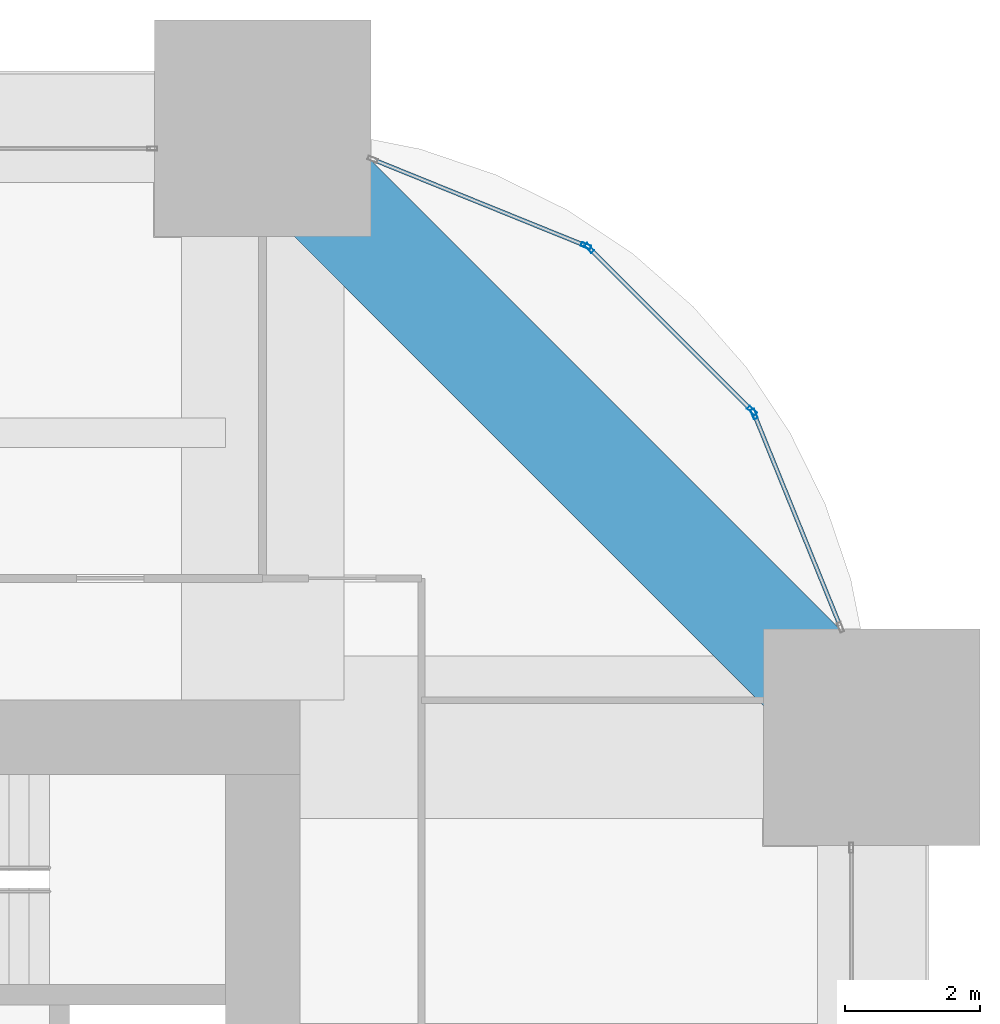
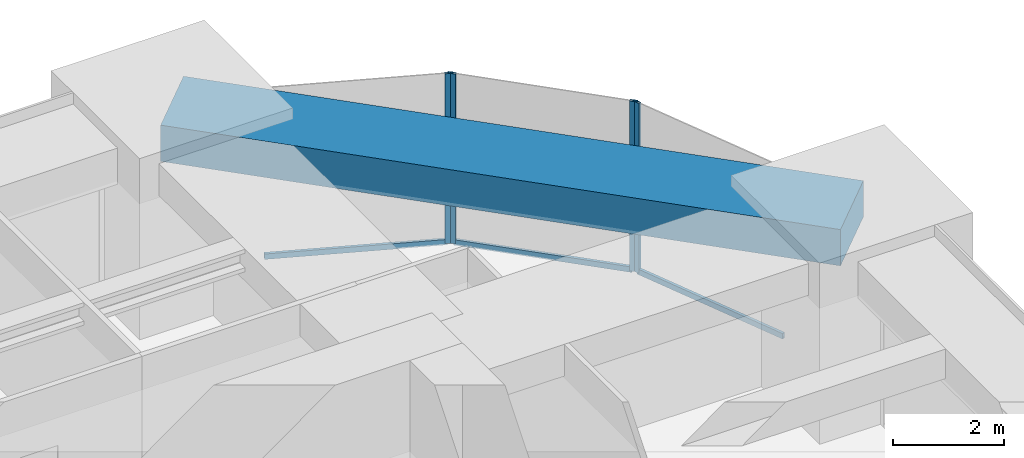
# One storey, part 29 of 36: 7 members, 1 beam, 3 elements without a shape of their own.
"""IFC4 building model written with IfcOpenShell, lengths in metres."""

from ifc_helpers import new_model, si_unit, direction, frame, origin, origin_2d, place, context, subcontext, project, spatial, rectangle, hollow_rectangle, extrude, material, material_profile, profile_set, type_object, element, aggregate, save


model = new_model("IFC4")

# Units and contexts
model_context = context("Model", 3, precision=1e-05, world=origin(), true_north=direction((0.0, 1.0)))
body_context = subcontext(model_context, "Body", "Model", "MODEL_VIEW")
ifc_project = project(units=[si_unit("LENGTHUNIT", "METRE"), si_unit("AREAUNIT", "SQUARE_METRE"), si_unit("VOLUMEUNIT", "CUBIC_METRE"), si_unit("PLANEANGLEUNIT", "RADIAN"), si_unit("MASSUNIT", "GRAM", prefix="KILO")], contexts=[model_context])

# Site, building, storey
site_placement = place(None, origin())
site = spatial("IfcSite", under=ifc_project, at=site_placement, CompositionType="ELEMENT")
building_placement = place(site_placement, origin())
building = spatial("IfcBuilding", under=site, at=building_placement, Name="Zorevar Civic Tower", CompositionType="ELEMENT")
storey_placement = place(building_placement, frame((0.0, 0.0, 166.199951171875)))
storey = spatial("IfcBuildingStorey", under=building, at=storey_placement, Name="L40", CompositionType="ELEMENT", Elevation=166.199951171875)

# Curtain wall, member
ifc_material_1 = material(Name="Dark grey solar-control glass in black aluminium frame", Category="aluminium")
curtain_wall_type = type_object("IfcCurtainWallType", Name="Curtain wall CW4 high zone", PredefinedType="NOTDEFINED", material=ifc_material_1)
curtain_wall_1_placement = place(storey_placement, origin())
curtain_wall_1 = element("IfcCurtainWall", 1, at=curtain_wall_1_placement, inside=storey, type_object=curtain_wall_type, Name="CW4 L40", PredefinedType="NOTDEFINED")
ifc_material_2 = material(Name="Aluminium, black anodised", Category="aluminium")
ifc_material_profile_1 = material_profile(ifc_material_2, hollow_rectangle(XDim=0.06005859375, YDim=0.14990234375, WallThickness=0.00390625, at=origin_2d()), Name="AL 150x60x4")
ifc_profile_set_1 = profile_set([ifc_material_profile_1], Name="Aluminium, black anodised")
member_type_1 = type_object("IfcMemberType", Name="CW4 mullion AL 150x60x4", PredefinedType="MULLION", material=ifc_profile_set_1)
member_1_placement = place(storey_placement, frame((52.263427734375, 40.778076171875, 0.0), z_axis=(0.0, 0.0, 1.0), x_axis=(-0.926761540227, -0.375650166453, 0.0)))
member_1 = element("IfcMember", 2, at=member_1_placement, type_object=member_type_1, Name="CW4 mullion 2", PredefinedType="MULLION", context=body_context, shape_type="SweptSolid", body=[
    extrude(hollow_rectangle(XDim=0.06005859375, YDim=0.14990234375, WallThickness=0.00390625, at=origin_2d()), origin(), (0.0, 0.0, 1.0), 3.75),
])

# Curtain wall, members
curtain_wall_2_placement = place(storey_placement, origin())
curtain_wall_2 = element("IfcCurtainWall", 3, at=curtain_wall_2_placement, inside=storey, type_object=curtain_wall_type, Name="CW4 L40", PredefinedType="NOTDEFINED")
member_2_placement = place(storey_placement, frame((52.23095703125, 40.8271484375, 0.0), z_axis=(0.0, 0.0, 1.0), x_axis=(-0.707106781187, -0.707106781187, 0.0)))
member_2 = element("IfcMember", 4, at=member_2_placement, type_object=member_type_1, Name="CW4 mullion 1", PredefinedType="MULLION", context=body_context, shape_type="SweptSolid", body=[
    extrude(hollow_rectangle(XDim=0.06005859375, YDim=0.14990234375, WallThickness=0.00390625, at=origin_2d()), origin(), (0.0, 0.0, 1.0), 3.75),
])
member_3_placement = place(storey_placement, frame((49.8271484375, 43.23095703125, 0.0), z_axis=(0.0, 0.0, 1.0), x_axis=(-0.707106781187, -0.707106781187, 0.0)))
member_3 = element("IfcMember", 5, at=member_3_placement, type_object=member_type_1, Name="CW4 mullion 2", PredefinedType="MULLION", context=body_context, shape_type="SweptSolid", body=[
    extrude(hollow_rectangle(XDim=0.06005859375, YDim=0.14990234375, WallThickness=0.00390625, at=origin_2d()), origin(), (0.0, 0.0, 1.0), 3.75),
])

# Curtain wall, member
curtain_wall_3_placement = place(storey_placement, origin())
curtain_wall_3 = element("IfcCurtainWall", 6, at=curtain_wall_3_placement, inside=storey, type_object=curtain_wall_type, Name="CW4 L40", PredefinedType="NOTDEFINED")
member_4_placement = place(storey_placement, frame((49.778076171875, 43.263427734375, 0.0), z_axis=(0.0, 0.0, 1.0), x_axis=(-0.375650166453, -0.926761540227, 0.0)))
member_4 = element("IfcMember", 7, at=member_4_placement, type_object=member_type_1, Name="CW4 mullion 1", PredefinedType="MULLION", context=body_context, shape_type="SweptSolid", body=[
    extrude(hollow_rectangle(XDim=0.06005859375, YDim=0.14990234375, WallThickness=0.00390625, at=origin_2d()), origin(), (0.0, 0.0, 1.0), 3.75),
])

# Member
ifc_material_3 = material(Name="Aluminium, black anodised", Category="aluminium")
ifc_material_profile_2 = material_profile(ifc_material_3, hollow_rectangle(XDim=0.06005859375, YDim=0.1201171875, WallThickness=0.0029296875, at=origin_2d()), Name="AL 120x60x3")
ifc_profile_set_2 = profile_set([ifc_material_profile_2], Name="Aluminium, black anodised")
member_type_2 = type_object("IfcMemberType", Name="CW4 transom AL 120x60x3", PredefinedType="USERDEFINED", material=ifc_profile_set_2)
member_5_placement = place(storey_placement, frame((53.529052734375, 37.655517578125, 0.030029296875), z_axis=(-0.375647407638, 0.92676265847, 0.0), x_axis=(-0.92676265847, -0.375647407638, 0.0)))
member_5 = element("IfcMember", 8, at=member_5_placement, type_object=member_type_2, Name="CW4 sill transom", ObjectType="TRANSOM", PredefinedType="USERDEFINED", context=body_context, shape_type="SweptSolid", body=[
    extrude(hollow_rectangle(XDim=0.06005859375, YDim=0.1201171875, WallThickness=0.0029296875, at=origin_2d()), origin(), (0.0, 0.0, 1.0), 3.33935546875),
])

aggregate(curtain_wall_1, [member_1, member_5])

member_6_placement = place(storey_placement, frame((52.209716796875, 40.848388671875, 0.030029296875), z_axis=(-0.707106781187, 0.707106781187, 0.0), x_axis=(-0.707106781187, -0.707106781187, 0.0)))
member_6 = element("IfcMember", 9, at=member_6_placement, type_object=member_type_2, Name="CW4 sill transom", ObjectType="TRANSOM", PredefinedType="USERDEFINED", context=body_context, shape_type="SweptSolid", body=[
    extrude(hollow_rectangle(XDim=0.06005859375, YDim=0.1201171875, WallThickness=0.0029296875, at=origin_2d()), origin(), (0.0, 0.0, 1.0), 3.33935546875),
])

aggregate(curtain_wall_2, [member_2, member_3, member_6])

member_7_placement = place(storey_placement, frame((49.750244140625, 43.274658203125, 0.030029296875), z_axis=(-0.92676265847, 0.375647407638, 0.0), x_axis=(-0.375647407638, -0.92676265847, 0.0)))
member_7 = element("IfcMember", 10, at=member_7_placement, type_object=member_type_2, Name="CW4 sill transom", ObjectType="TRANSOM", PredefinedType="USERDEFINED", context=body_context, shape_type="SweptSolid", body=[
    extrude(hollow_rectangle(XDim=0.06005859375, YDim=0.1201171875, WallThickness=0.0029296875, at=origin_2d()), origin(), (0.0, 0.0, 1.0), 3.33935546875),
])

aggregate(curtain_wall_3, [member_4, member_7])

# Beam
ifc_material_4 = material(Name="Concrete C50/60", Category="concrete")
ifc_material_profile_3 = material_profile(ifc_material_4, rectangle(XDim=1.60009765625, YDim=0.800048828125, at=origin_2d()), Name="RC 1600x800")
ifc_profile_set_3 = profile_set([ifc_material_profile_3], Name="Concrete C50/60")
beam_type = type_object("IfcBeamType", Name="Edge beam RC 1600x800", PredefinedType="SPANDREL", material=ifc_profile_set_3)
beam_placement = place(storey_placement, frame((54.0, 36.0, 3.35009765625), z_axis=(-0.707106781187, 0.707106781187, 0.0), x_axis=(-0.707106781187, -0.707106781187, 0.0)))
element("IfcBeam", 11, at=beam_placement, inside=storey, type_object=beam_type, Name="Corner edge beam L41", PredefinedType="SPANDREL", context=body_context, shape_type="SweptSolid", body=[
    extrude(rectangle(XDim=1.60009765625, YDim=0.800048828125, at=origin_2d()), origin(), (0.0, 0.0, 1.0), 12.72802734375),
])

save(model, "model.ifc")
